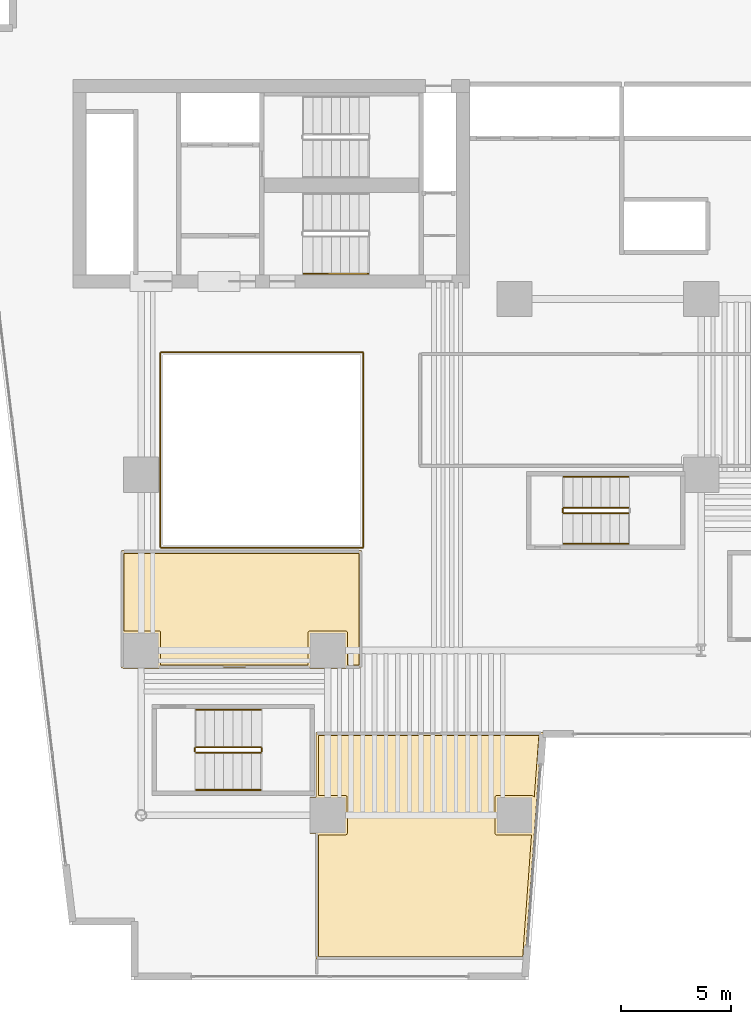
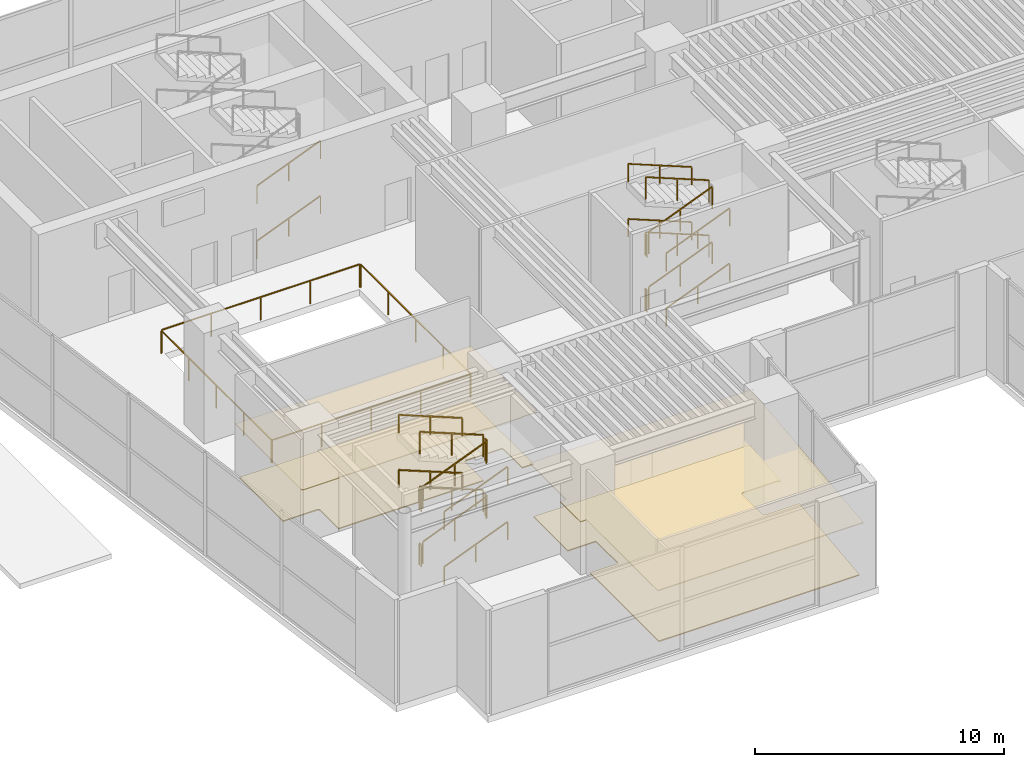
# One storey, part 14 of 17: 28 railings, 4 coverings.
"""IFC4 building model written with IfcOpenShell, lengths in metres."""

from ifc_helpers import new_model, si_unit, direction, frame, origin, origin_2d, place, context, subcontext, project, spatial, polyline, rectangle, outline, extrude, material, layer, layer_set, type_object, element, save


model = new_model("IFC4")

# Units and contexts
model_context = context("Model", 3, precision=1e-05, world=origin(), true_north=direction((0.0, 1.0)))
body_context = subcontext(model_context, "Body", "Model", "MODEL_VIEW")
ifc_project = project(units=[si_unit("LENGTHUNIT", "METRE"), si_unit("AREAUNIT", "SQUARE_METRE"), si_unit("VOLUMEUNIT", "CUBIC_METRE"), si_unit("PLANEANGLEUNIT", "RADIAN"), si_unit("MASSUNIT", "GRAM", prefix="KILO")], contexts=[model_context])

# Site, building, storey
site_placement = place(None, origin())
site = spatial("IfcSite", under=ifc_project, at=site_placement, CompositionType="ELEMENT")
building_placement = place(site_placement, origin())
building = spatial("IfcBuilding", under=site, at=building_placement, Name="Caeloran Harvest Quay", CompositionType="ELEMENT")
storey_placement = place(building_placement, frame((0.0, 0.0, 5.39990234375)))
storey = spatial("IfcBuildingStorey", under=building, at=storey_placement, Name="L02", CompositionType="ELEMENT", Elevation=5.39990234375)

# Coverings
ifc_material_1 = material(Name="Perforated Mineral-Fibre Acoustic Ceiling Tile", Category="ceiling")
ifc_layer_1 = layer(ifc_material_1, 0.0400390625, Name="Perforated Mineral-Fibre Acoustic Ceiling Tile")
ifc_layer_set_1 = layer_set([ifc_layer_1], Name="Perforated Mineral-Fibre Acoustic Ceiling Tile")
covering_type_1 = type_object("IfcCoveringType", Name="COV-CEILING-ACOUSTIC", PredefinedType="CEILING", material=ifc_layer_set_1)
covering_1_placement = place(storey_placement, frame((0.0, 0.0, 2.60009765625)))
element("IfcCovering", 1, at=covering_1_placement, inside=storey, type_object=covering_type_1, Name="Harbour Cooked-Food Hall (56 Stalls) Acoustic Ceiling", PredefinedType="CEILING", context=body_context, shape_type="SweptSolid", body=[
    extrude(outline(polyline([(9.320068359375, 14.179931640625), (7.679931640625, 14.179931640625), (7.679931640625, 14.2099609375), (7.610107421875, 14.2099609375), (7.610107421875, 19.5400390625), (18.5400390625, 19.5400390625), (18.5400390625, 14.2099609375), (17.820068359375, 14.2099609375), (17.820068359375, 14.179931640625), (16.179931640625, 14.179931640625), (16.179931640625, 14.2099609375), (9.320068359375, 14.2099609375), (9.320068359375, 14.179931640625)])), origin(), (0.0, 0.0, 1.0), 0.0400390625),
])
covering_2_placement = place(storey_placement, frame((0.0, 0.0, 2.60009765625)))
element("IfcCovering", 2, at=covering_2_placement, inside=storey, type_object=covering_type_1, Name="Central Dishwashing and Scullery Kitchen Acoustic Ceiling", PredefinedType="CEILING", context=body_context, shape_type="SweptSolid", body=[
    extrude(outline(polyline([(26.763916015625, 11.177001953125), (26.716552734375, 11.054931640625), (25.985107421875, 0.9599609375), (16.4599609375, 0.9599609375), (16.4599609375, 6.679931640625), (16.179931640625, 6.679931640625), (16.179931640625, 8.320068359375), (16.4599609375, 8.320068359375), (16.4599609375, 11.260009765625), (26.8369140625, 11.260009765625), (26.763916015625, 11.177001953125)])), origin(), (0.0, 0.0, 1.0), 0.0400390625),
])
ifc_material_2 = material(Name="Calcium-Sulphate Raised Access Floor and Terrazzo Finish", Category="flooring")
ifc_layer_2 = layer(ifc_material_2, 0.050048828125, Name="Calcium-Sulphate Raised Access Floor and Terrazzo Finish")
ifc_layer_set_2 = layer_set([ifc_layer_2], Name="Calcium-Sulphate Raised Access Floor and Terrazzo Finish")
covering_type_2 = type_object("IfcCoveringType", Name="COV-FLOOR-RAISED", PredefinedType="FLOORING", material=ifc_layer_set_2)
covering_3_placement = place(storey_placement, origin())
element("IfcCovering", 3, at=covering_3_placement, inside=storey, type_object=covering_type_2, Name="Harbour Cooked-Food Hall (56 Stalls) Raised Finish Flooring", PredefinedType="FLOORING", context=body_context, shape_type="SweptSolid", body=[
    extrude(outline(polyline([(7.72998046875, 15.89501953125), (7.72998046875, 19.419921875), (18.419921875, 19.419921875), (18.419921875, 14.330078125), (17.89501953125, 14.330078125), (17.89501953125, 15.81494140625), (17.876708984375, 15.86572265625), (17.82275390625, 15.89453125), (16.18505859375, 15.89501953125), (16.12841796875, 15.87158203125), (16.10498046875, 15.81494140625), (16.10498046875, 14.330078125), (9.39501953125, 14.330078125), (9.39501953125, 15.81494140625), (9.37158203125, 15.87158203125), (9.31494140625, 15.89501953125), (7.72998046875, 15.89501953125)])), origin(), (0.0, 0.0, 1.0), 0.050048828125),
])
covering_4_placement = place(storey_placement, origin())
element("IfcCovering", 4, at=covering_4_placement, inside=storey, type_object=covering_type_2, Name="Central Dishwashing and Scullery Kitchen Raised Finish Flooring", PredefinedType="FLOORING", context=body_context, shape_type="SweptSolid", body=[
    extrude(outline(polyline([(26.273681640625, 6.60498046875), (25.873291015625, 1.080078125), (16.580078125, 1.080078125), (16.580078125, 6.60498046875), (17.82275390625, 6.60546875), (17.876708984375, 6.63427734375), (17.89501953125, 6.68505859375), (17.876708984375, 8.36572265625), (17.81494140625, 8.39501953125), (16.580078125, 8.39501953125), (16.580078125, 11.139892578125), (26.611328125, 11.139892578125), (26.39501953125, 8.278564453125), (26.381591796875, 8.359375), (26.31494140625, 8.39501953125), (24.68505859375, 8.39501953125), (24.63427734375, 8.376708984375), (24.60546875, 8.32275390625), (24.60498046875, 6.68505859375), (24.62841796875, 6.62841796875), (24.68505859375, 6.60498046875), (26.273681640625, 6.60498046875)])), origin(), (0.0, 0.0, 1.0), 0.050048828125),
])

# Railings
ifc_material_3 = material(Name="Powder-Coated Steel Post and Laminated Glass Guardrail", Category="steel")
ifc_layer_3 = layer(ifc_material_3, 0.06005859375, Name="Powder-Coated Steel Post and Laminated Glass Guardrail")
ifc_layer_set_3 = layer_set([ifc_layer_3], Name="Powder-Coated Steel Post and Laminated Glass Guardrail")
railing_type_1 = type_object("IfcRailingType", Name="GUARD-ATRIUM-1150", PredefinedType="GUARDRAIL", material=ifc_layer_set_3)
railing_1_placement = place(storey_placement, frame((9.412109375, 19.679931640625, 0.0)))
element("IfcRailing", 5, at=railing_1_placement, inside=storey, type_object=railing_type_1, Name="L02 Skylit Atrium Void Perimeter Guardrail Seg 1", PredefinedType="GUARDRAIL", context=body_context, shape_type="SweptSolid", body=[
    extrude(rectangle(XDim=0.048095703125, YDim=0.048095703125, at=origin_2d()), frame((0.0, 0.0, 1.1259765625), z_axis=(1.0, 0.0, 0.0), x_axis=(0.0, 1.0, 0.0)), (0.0, 0.0, 1.0), 9.17578125),
    extrude(rectangle(XDim=0.0419921875, YDim=0.0419921875, at=origin_2d()), origin(), (0.0, 0.0, 1.0), 1.101806640625),
    extrude(rectangle(XDim=0.0419921875, YDim=0.0419921875, at=origin_2d()), frame((2.2939453125, 0.0, 0.0)), (0.0, 0.0, 1.0), 1.101806640625),
    extrude(rectangle(XDim=0.0419921875, YDim=0.0419921875, at=origin_2d()), frame((4.587890625, 0.0, 0.0)), (0.0, 0.0, 1.0), 1.101806640625),
    extrude(rectangle(XDim=0.0419921875, YDim=0.0419921875, at=origin_2d()), frame((6.8818359375, 0.0, 0.0)), (0.0, 0.0, 1.0), 1.101806640625),
    extrude(rectangle(XDim=0.0419921875, YDim=0.0419921875, at=origin_2d()), frame((9.17578125, 0.0, 0.0)), (0.0, 0.0, 1.0), 1.101806640625),
])
railing_2_placement = place(storey_placement, frame((18.6201171875, 19.7119140625, 0.0)))
element("IfcRailing", 6, at=railing_2_placement, inside=storey, type_object=railing_type_1, Name="L02 Skylit Atrium Void Perimeter Guardrail Seg 2", PredefinedType="GUARDRAIL", context=body_context, shape_type="SweptSolid", body=[
    extrude(rectangle(XDim=0.048095703125, YDim=0.048095703125, at=origin_2d()), frame((0.0, 0.0, 1.1259765625), z_axis=(0.0, 1.0, 0.0), x_axis=(-1.0, 0.0, 0.0)), (0.0, 0.0, 1.0), 8.826171875),
    extrude(rectangle(XDim=0.0419921875, YDim=0.0419921875, at=origin_2d()), origin(), (0.0, 0.0, 1.0), 1.101806640625),
    extrude(rectangle(XDim=0.0419921875, YDim=0.0419921875, at=origin_2d()), frame((0.0, 2.20654296875, 0.0)), (0.0, 0.0, 1.0), 1.101806640625),
    extrude(rectangle(XDim=0.0419921875, YDim=0.0419921875, at=origin_2d()), frame((0.0, 4.4130859375, 0.0)), (0.0, 0.0, 1.0), 1.101806640625),
    extrude(rectangle(XDim=0.0419921875, YDim=0.0419921875, at=origin_2d()), frame((0.0, 6.61962890625, 0.0)), (0.0, 0.0, 1.0), 1.101806640625),
    extrude(rectangle(XDim=0.0419921875, YDim=0.0419921875, at=origin_2d()), frame((0.0, 8.826171875, 0.0)), (0.0, 0.0, 1.0), 1.101806640625),
])
railing_3_placement = place(storey_placement, frame((18.587890625, 28.570068359375, 0.0)))
element("IfcRailing", 7, at=railing_3_placement, inside=storey, type_object=railing_type_1, Name="L02 Skylit Atrium Void Perimeter Guardrail Seg 3", PredefinedType="GUARDRAIL", context=body_context, shape_type="SweptSolid", body=[
    extrude(rectangle(XDim=0.048095703125, YDim=0.048095703125, at=origin_2d()), frame((0.0, 0.0, 1.1259765625), z_axis=(-1.0, 0.0, 0.0), x_axis=(0.0, -1.0, 0.0)), (0.0, 0.0, 1.0), 9.17578125),
    extrude(rectangle(XDim=0.0419921875, YDim=0.0419921875, at=origin_2d()), origin(), (0.0, 0.0, 1.0), 1.101806640625),
    extrude(rectangle(XDim=0.0419921875, YDim=0.0419921875, at=origin_2d()), frame((-2.2939453125, 0.0, 0.0)), (0.0, 0.0, 1.0), 1.101806640625),
    extrude(rectangle(XDim=0.0419921875, YDim=0.0419921875, at=origin_2d()), frame((-4.587890625, 0.0, 0.0)), (0.0, 0.0, 1.0), 1.101806640625),
    extrude(rectangle(XDim=0.0419921875, YDim=0.0419921875, at=origin_2d()), frame((-6.8818359375, 0.0, 0.0)), (0.0, 0.0, 1.0), 1.101806640625),
    extrude(rectangle(XDim=0.0419921875, YDim=0.0419921875, at=origin_2d()), frame((-9.17578125, 0.0, 0.0)), (0.0, 0.0, 1.0), 1.101806640625),
])
railing_4_placement = place(storey_placement, frame((9.3798828125, 28.5380859375, 0.0)))
element("IfcRailing", 8, at=railing_4_placement, inside=storey, type_object=railing_type_1, Name="L02 Skylit Atrium Void Perimeter Guardrail Seg 4", PredefinedType="GUARDRAIL", context=body_context, shape_type="SweptSolid", body=[
    extrude(rectangle(XDim=0.048095703125, YDim=0.048095703125, at=origin_2d()), frame((0.0, 0.0, 1.1259765625), z_axis=(0.0, -1.0, 0.0), x_axis=(1.0, 0.0, 0.0)), (0.0, 0.0, 1.0), 8.826171875),
    extrude(rectangle(XDim=0.0419921875, YDim=0.0419921875, at=origin_2d()), origin(), (0.0, 0.0, 1.0), 1.101806640625),
    extrude(rectangle(XDim=0.0419921875, YDim=0.0419921875, at=origin_2d()), frame((0.0, -2.20654296875, 0.0)), (0.0, 0.0, 1.0), 1.101806640625),
    extrude(rectangle(XDim=0.0419921875, YDim=0.0419921875, at=origin_2d()), frame((0.0, -4.4130859375, 0.0)), (0.0, 0.0, 1.0), 1.101806640625),
    extrude(rectangle(XDim=0.0419921875, YDim=0.0419921875, at=origin_2d()), frame((0.0, -6.61962890625, 0.0)), (0.0, 0.0, 1.0), 1.101806640625),
    extrude(rectangle(XDim=0.0419921875, YDim=0.0419921875, at=origin_2d()), frame((0.0, -8.826171875, 0.0)), (0.0, 0.0, 1.0), 1.101806640625),
])
ifc_material_4 = material(Name="Painted Steel Baluster and Top-Rail Stair Guard", Category="steel")
ifc_layer_4 = layer(ifc_material_4, 0.050048828125, Name="Painted Steel Baluster and Top-Rail Stair Guard")
ifc_layer_set_4 = layer_set([ifc_layer_4], Name="Painted Steel Baluster and Top-Rail Stair Guard")
railing_type_2 = type_object("IfcRailingType", Name="STAIR-GUARD-1100", PredefinedType="GUARDRAIL", material=ifc_layer_set_4)
railing_5_placement = place(storey_placement, frame((27.75, 21.25, 0.1689453125)))
element("IfcRailing", 9, at=railing_5_placement, inside=storey, type_object=railing_type_2, Name="L02 ST-W1 stair guard 1", PredefinedType="GUARDRAIL", context=body_context, shape_type="SweptSolid", body=[
    extrude(rectangle(XDim=0.048095703125, YDim=0.048095703125, at=origin_2d()), frame((0.0, 0.0, 1.076171875), z_axis=(0.927912314548, 0.0, 0.372798519995), x_axis=(0.0, 1.0, 0.0)), (0.0, 0.0, 1.0), 3.16845703125),
    extrude(rectangle(XDim=0.0419921875, YDim=0.0419921875, at=origin_2d()), origin(), (0.0, 0.0, 1.0), 1.052001953125),
    extrude(rectangle(XDim=0.0419921875, YDim=0.0419921875, at=origin_2d()), frame((1.469970703125, 0.0, 0.590576171875)), (0.0, 0.0, 1.0), 1.052001953125),
    extrude(rectangle(XDim=0.0419921875, YDim=0.0419921875, at=origin_2d()), frame((2.93994140625, 0.0, 1.18115234375)), (0.0, 0.0, 1.0), 1.052001953125),
])
railing_6_placement = place(storey_placement, frame((30.68994140625, 21.5, 1.518798828125)))
element("IfcRailing", 10, at=railing_6_placement, inside=storey, type_object=railing_type_2, Name="L02 ST-W1 stair guard 3", PredefinedType="GUARDRAIL", context=body_context, shape_type="SweptSolid", body=[
    extrude(rectangle(XDim=0.048095703125, YDim=0.048095703125, at=origin_2d()), frame((0.0, 0.0, 1.076171875), z_axis=(-0.927885657282, 0.0, 0.372864864274), x_axis=(0.0, -1.0, 0.0)), (0.0, 0.0, 1.0), 3.16845703125),
    extrude(rectangle(XDim=0.0419921875, YDim=0.0419921875, at=origin_2d()), origin(), (0.0, 0.0, 1.0), 1.052001953125),
    extrude(rectangle(XDim=0.0419921875, YDim=0.0419921875, at=origin_2d()), frame((-1.469970703125, 0.0, 0.5908203125)), (0.0, 0.0, 1.0), 1.052001953125),
    extrude(rectangle(XDim=0.0419921875, YDim=0.0419921875, at=origin_2d()), frame((-2.93994140625, 0.0, 1.181396484375)), (0.0, 0.0, 1.0), 1.052001953125),
])
railing_7_placement = place(storey_placement, frame((27.699951171875, 21.300048828125, 2.7001953125)))
element("IfcRailing", 11, at=railing_7_placement, inside=storey, type_object=railing_type_2, Name="L02 ST-W1 stair guard 4", PredefinedType="GUARDRAIL", context=body_context, shape_type="SweptSolid", body=[
    extrude(rectangle(XDim=0.048095703125, YDim=0.048095703125, at=origin_2d()), frame((0.0, 0.0, 1.076171875), z_axis=(0.0, 1.0, 0.0), x_axis=(-1.0, 0.0, 0.0)), (0.0, 0.0, 1.0), 0.14990234375),
    extrude(rectangle(XDim=0.0419921875, YDim=0.0419921875, at=origin_2d()), origin(), (0.0, 0.0, 1.0), 1.052001953125),
    extrude(rectangle(XDim=0.0419921875, YDim=0.0419921875, at=origin_2d()), frame((0.0, 0.14990234375, 0.0)), (0.0, 0.0, 1.0), 1.052001953125),
])
railing_8_placement = place(storey_placement, frame((27.75, 21.25, 2.868896484375)))
element("IfcRailing", 12, at=railing_8_placement, inside=storey, type_object=railing_type_2, Name="L02 ST-W1 stair guard 5", PredefinedType="GUARDRAIL", context=body_context, shape_type="SweptSolid", body=[
    extrude(rectangle(XDim=0.048095703125, YDim=0.048095703125, at=origin_2d()), frame((0.0, 0.0, 1.076171875), z_axis=(0.927912314548, 0.0, 0.372798519995), x_axis=(0.0, 1.0, 0.0)), (0.0, 0.0, 1.0), 3.16845703125),
    extrude(rectangle(XDim=0.0419921875, YDim=0.0419921875, at=origin_2d()), origin(), (0.0, 0.0, 1.0), 1.052001953125),
    extrude(rectangle(XDim=0.0419921875, YDim=0.0419921875, at=origin_2d()), frame((1.469970703125, 0.0, 0.590576171875)), (0.0, 0.0, 1.0), 1.052001953125),
    extrude(rectangle(XDim=0.0419921875, YDim=0.0419921875, at=origin_2d()), frame((2.93994140625, 0.0, 1.18115234375)), (0.0, 0.0, 1.0), 1.052001953125),
])
railing_9_placement = place(storey_placement, frame((30.68994140625, 21.5, 4.21875)))
element("IfcRailing", 13, at=railing_9_placement, inside=storey, type_object=railing_type_2, Name="L02 ST-W1 stair guard 7", PredefinedType="GUARDRAIL", context=body_context, shape_type="SweptSolid", body=[
    extrude(rectangle(XDim=0.048095703125, YDim=0.048095703125, at=origin_2d()), frame((0.0, 0.0, 1.076171875), z_axis=(-0.927885657282, 0.0, 0.372864864274), x_axis=(0.0, -1.0, 0.0)), (0.0, 0.0, 1.0), 3.16845703125),
    extrude(rectangle(XDim=0.0419921875, YDim=0.0419921875, at=origin_2d()), origin(), (0.0, 0.0, 1.0), 1.052001953125),
    extrude(rectangle(XDim=0.0419921875, YDim=0.0419921875, at=origin_2d()), frame((-1.469970703125, 0.0, 0.5908203125)), (0.0, 0.0, 1.0), 1.052001953125),
    extrude(rectangle(XDim=0.0419921875, YDim=0.0419921875, at=origin_2d()), frame((-2.93994140625, 0.0, 1.181396484375)), (0.0, 0.0, 1.0), 1.052001953125),
])
railing_10_placement = place(storey_placement, frame((27.699951171875, 21.300048828125, 0.0)))
element("IfcRailing", 14, at=railing_10_placement, inside=storey, type_object=railing_type_2, Name="L02 ST-W1 stair guard 8", PredefinedType="GUARDRAIL", context=body_context, shape_type="SweptSolid", body=[
    extrude(rectangle(XDim=0.048095703125, YDim=0.048095703125, at=origin_2d()), frame((0.0, 0.0, 1.076171875), z_axis=(0.0, 1.0, 0.0), x_axis=(-1.0, 0.0, 0.0)), (0.0, 0.0, 1.0), 0.14990234375),
    extrude(rectangle(XDim=0.0419921875, YDim=0.0419921875, at=origin_2d()), origin(), (0.0, 0.0, 1.0), 1.052001953125),
    extrude(rectangle(XDim=0.0419921875, YDim=0.0419921875, at=origin_2d()), frame((0.0, 0.14990234375, 0.0)), (0.0, 0.0, 1.0), 1.052001953125),
])
railing_11_placement = place(storey_placement, frame((11.0, 10.35009765625, 0.1689453125)))
element("IfcRailing", 15, at=railing_11_placement, inside=storey, type_object=railing_type_2, Name="L02 ST-P1 stair guard 1", PredefinedType="GUARDRAIL", context=body_context, shape_type="SweptSolid", body=[
    extrude(rectangle(XDim=0.048095703125, YDim=0.048095703125, at=origin_2d()), frame((0.0, 0.0, 1.076171875), z_axis=(0.927912314548, 0.0, 0.372798519995), x_axis=(0.0, 1.0, 0.0)), (0.0, 0.0, 1.0), 3.16845703125),
    extrude(rectangle(XDim=0.0419921875, YDim=0.0419921875, at=origin_2d()), origin(), (0.0, 0.0, 1.0), 1.052001953125),
    extrude(rectangle(XDim=0.0419921875, YDim=0.0419921875, at=origin_2d()), frame((1.469970703125, 0.0, 0.590576171875)), (0.0, 0.0, 1.0), 1.052001953125),
    extrude(rectangle(XDim=0.0419921875, YDim=0.0419921875, at=origin_2d()), frame((2.93994140625, 0.0, 1.18115234375)), (0.0, 0.0, 1.0), 1.052001953125),
])
railing_12_placement = place(storey_placement, frame((13.989990234375, 10.39990234375, 1.35009765625)))
element("IfcRailing", 16, at=railing_12_placement, inside=storey, type_object=railing_type_2, Name="L02 ST-P1 stair guard 2", PredefinedType="GUARDRAIL", context=body_context, shape_type="SweptSolid", body=[
    extrude(rectangle(XDim=0.048095703125, YDim=0.048095703125, at=origin_2d()), frame((0.0, 0.0, 1.076171875), z_axis=(0.0, 1.0, 0.0), x_axis=(-1.0, 0.0, 0.0)), (0.0, 0.0, 1.0), 0.150146484375),
    extrude(rectangle(XDim=0.0419921875, YDim=0.0419921875, at=origin_2d()), origin(), (0.0, 0.0, 1.0), 1.052001953125),
    extrude(rectangle(XDim=0.0419921875, YDim=0.0419921875, at=origin_2d()), frame((0.0, 0.150146484375, 0.0)), (0.0, 0.0, 1.0), 1.052001953125),
])
railing_13_placement = place(storey_placement, frame((13.93994140625, 10.60009765625, 1.518798828125)))
element("IfcRailing", 17, at=railing_13_placement, inside=storey, type_object=railing_type_2, Name="L02 ST-P1 stair guard 3", PredefinedType="GUARDRAIL", context=body_context, shape_type="SweptSolid", body=[
    extrude(rectangle(XDim=0.048095703125, YDim=0.048095703125, at=origin_2d()), frame((0.0, 0.0, 1.076171875), z_axis=(-0.927885657282, 0.0, 0.372864864274), x_axis=(0.0, -1.0, 0.0)), (0.0, 0.0, 1.0), 3.16845703125),
    extrude(rectangle(XDim=0.0419921875, YDim=0.0419921875, at=origin_2d()), origin(), (0.0, 0.0, 1.0), 1.052001953125),
    extrude(rectangle(XDim=0.0419921875, YDim=0.0419921875, at=origin_2d()), frame((-1.469970703125, 0.0, 0.5908203125)), (0.0, 0.0, 1.0), 1.052001953125),
    extrude(rectangle(XDim=0.0419921875, YDim=0.0419921875, at=origin_2d()), frame((-2.93994140625, 0.0, 1.181396484375)), (0.0, 0.0, 1.0), 1.052001953125),
])
railing_14_placement = place(storey_placement, frame((10.949951171875, 10.39990234375, 2.7001953125)))
element("IfcRailing", 18, at=railing_14_placement, inside=storey, type_object=railing_type_2, Name="L02 ST-P1 stair guard 4", PredefinedType="GUARDRAIL", context=body_context, shape_type="SweptSolid", body=[
    extrude(rectangle(XDim=0.048095703125, YDim=0.048095703125, at=origin_2d()), frame((0.0, 0.0, 1.076171875), z_axis=(0.0, 1.0, 0.0), x_axis=(-1.0, 0.0, 0.0)), (0.0, 0.0, 1.0), 0.150146484375),
    extrude(rectangle(XDim=0.0419921875, YDim=0.0419921875, at=origin_2d()), origin(), (0.0, 0.0, 1.0), 1.052001953125),
    extrude(rectangle(XDim=0.0419921875, YDim=0.0419921875, at=origin_2d()), frame((0.0, 0.150146484375, 0.0)), (0.0, 0.0, 1.0), 1.052001953125),
])
railing_15_placement = place(storey_placement, frame((11.0, 10.35009765625, 2.868896484375)))
element("IfcRailing", 19, at=railing_15_placement, inside=storey, type_object=railing_type_2, Name="L02 ST-P1 stair guard 5", PredefinedType="GUARDRAIL", context=body_context, shape_type="SweptSolid", body=[
    extrude(rectangle(XDim=0.048095703125, YDim=0.048095703125, at=origin_2d()), frame((0.0, 0.0, 1.076171875), z_axis=(0.927912314548, 0.0, 0.372798519995), x_axis=(0.0, 1.0, 0.0)), (0.0, 0.0, 1.0), 3.16845703125),
    extrude(rectangle(XDim=0.0419921875, YDim=0.0419921875, at=origin_2d()), origin(), (0.0, 0.0, 1.0), 1.052001953125),
    extrude(rectangle(XDim=0.0419921875, YDim=0.0419921875, at=origin_2d()), frame((1.469970703125, 0.0, 0.590576171875)), (0.0, 0.0, 1.0), 1.052001953125),
    extrude(rectangle(XDim=0.0419921875, YDim=0.0419921875, at=origin_2d()), frame((2.93994140625, 0.0, 1.18115234375)), (0.0, 0.0, 1.0), 1.052001953125),
])
railing_16_placement = place(storey_placement, frame((13.989990234375, 10.39990234375, 4.050048828125)))
element("IfcRailing", 20, at=railing_16_placement, inside=storey, type_object=railing_type_2, Name="L02 ST-P1 stair guard 6", PredefinedType="GUARDRAIL", context=body_context, shape_type="SweptSolid", body=[
    extrude(rectangle(XDim=0.048095703125, YDim=0.048095703125, at=origin_2d()), frame((0.0, 0.0, 1.076171875), z_axis=(0.0, 1.0, 0.0), x_axis=(-1.0, 0.0, 0.0)), (0.0, 0.0, 1.0), 0.150146484375),
    extrude(rectangle(XDim=0.0419921875, YDim=0.0419921875, at=origin_2d()), origin(), (0.0, 0.0, 1.0), 1.052001953125),
    extrude(rectangle(XDim=0.0419921875, YDim=0.0419921875, at=origin_2d()), frame((0.0, 0.150146484375, 0.0)), (0.0, 0.0, 1.0), 1.052001953125),
])
railing_17_placement = place(storey_placement, frame((13.93994140625, 10.60009765625, 4.21875)))
element("IfcRailing", 21, at=railing_17_placement, inside=storey, type_object=railing_type_2, Name="L02 ST-P1 stair guard 7", PredefinedType="GUARDRAIL", context=body_context, shape_type="SweptSolid", body=[
    extrude(rectangle(XDim=0.048095703125, YDim=0.048095703125, at=origin_2d()), frame((0.0, 0.0, 1.076171875), z_axis=(-0.927885657282, 0.0, 0.372864864274), x_axis=(0.0, -1.0, 0.0)), (0.0, 0.0, 1.0), 3.16845703125),
    extrude(rectangle(XDim=0.0419921875, YDim=0.0419921875, at=origin_2d()), origin(), (0.0, 0.0, 1.0), 1.052001953125),
    extrude(rectangle(XDim=0.0419921875, YDim=0.0419921875, at=origin_2d()), frame((-1.469970703125, 0.0, 0.5908203125)), (0.0, 0.0, 1.0), 1.052001953125),
    extrude(rectangle(XDim=0.0419921875, YDim=0.0419921875, at=origin_2d()), frame((-2.93994140625, 0.0, 1.181396484375)), (0.0, 0.0, 1.0), 1.052001953125),
])
railing_18_placement = place(storey_placement, frame((10.949951171875, 10.39990234375, 0.0)))
element("IfcRailing", 22, at=railing_18_placement, inside=storey, type_object=railing_type_2, Name="L02 ST-P1 stair guard 8", PredefinedType="GUARDRAIL", context=body_context, shape_type="SweptSolid", body=[
    extrude(rectangle(XDim=0.048095703125, YDim=0.048095703125, at=origin_2d()), frame((0.0, 0.0, 1.076171875), z_axis=(0.0, 1.0, 0.0), x_axis=(-1.0, 0.0, 0.0)), (0.0, 0.0, 1.0), 0.150146484375),
    extrude(rectangle(XDim=0.0419921875, YDim=0.0419921875, at=origin_2d()), origin(), (0.0, 0.0, 1.0), 1.052001953125),
    extrude(rectangle(XDim=0.0419921875, YDim=0.0419921875, at=origin_2d()), frame((0.0, 0.150146484375, 0.0)), (0.0, 0.0, 1.0), 1.052001953125),
])
ifc_material_5 = material(Name="Brushed Stainless Steel Grade 304", Category="steel")
ifc_layer_5 = layer(ifc_material_5, 0.050048828125, Name="Brushed Stainless Steel Grade 304")
ifc_layer_set_5 = layer_set([ifc_layer_5], Name="Brushed Stainless Steel Grade 304")
railing_type_3 = type_object("IfcRailingType", Name="STAIR-HANDRAIL-900", PredefinedType="HANDRAIL", material=ifc_layer_set_5)
for number, where, name in (
    (23, (15.89990234375, 32.14990234375, 0.1689453125), "L02 ST-C2 stair handrail 1"),
    (24, (15.89990234375, 32.14990234375, 2.868896484375), "L02 ST-C2 stair handrail 3"),
):
    element("IfcRailing", number, at=place(storey_placement, frame(where)), inside=storey, type_object=railing_type_3, Name=name, PredefinedType="HANDRAIL", context=body_context, shape_type="SweptSolid", body=[
        extrude(rectangle(XDim=0.048095703125, YDim=0.048095703125, at=origin_2d()), frame((0.0, 0.0, 0.8759765625), z_axis=(0.927923022591, 0.0, 0.372771866088), x_axis=(0.0, 1.0, 0.0)), (0.0, 0.0, 1.0), 3.16845703125),
        extrude(rectangle(XDim=0.0419921875, YDim=0.0419921875, at=origin_2d()), origin(), (0.0, 0.0, 1.0), 0.851806640625),
        extrude(rectangle(XDim=0.0419921875, YDim=0.0419921875, at=origin_2d()), frame((1.47021484375, 0.0, 0.590576171875)), (0.0, 0.0, 1.0), 0.851806640625),
        extrude(rectangle(XDim=0.0419921875, YDim=0.0419921875, at=origin_2d()), frame((2.940185546875, 0.0, 1.18115234375)), (0.0, 0.0, 1.0), 0.851806640625),
    ])
railing_19_placement = place(storey_placement, frame((27.75, 19.85009765625, 0.1689453125)))
element("IfcRailing", 25, at=railing_19_placement, inside=storey, type_object=railing_type_3, Name="L02 ST-W1 stair handrail 1", PredefinedType="HANDRAIL", context=body_context, shape_type="SweptSolid", body=[
    extrude(rectangle(XDim=0.048095703125, YDim=0.048095703125, at=origin_2d()), frame((0.0, 0.0, 0.8759765625), z_axis=(0.927912314548, 0.0, 0.372798519995), x_axis=(0.0, 1.0, 0.0)), (0.0, 0.0, 1.0), 3.16845703125),
    extrude(rectangle(XDim=0.0419921875, YDim=0.0419921875, at=origin_2d()), origin(), (0.0, 0.0, 1.0), 0.851806640625),
    extrude(rectangle(XDim=0.0419921875, YDim=0.0419921875, at=origin_2d()), frame((1.469970703125, 0.0, 0.590576171875)), (0.0, 0.0, 1.0), 0.851806640625),
    extrude(rectangle(XDim=0.0419921875, YDim=0.0419921875, at=origin_2d()), frame((2.93994140625, 0.0, 1.18115234375)), (0.0, 0.0, 1.0), 0.851806640625),
])
railing_20_placement = place(storey_placement, frame((30.68994140625, 22.89990234375, 1.518798828125)))
element("IfcRailing", 26, at=railing_20_placement, inside=storey, type_object=railing_type_3, Name="L02 ST-W1 stair handrail 2", PredefinedType="HANDRAIL", context=body_context, shape_type="SweptSolid", body=[
    extrude(rectangle(XDim=0.048095703125, YDim=0.048095703125, at=origin_2d()), frame((0.0, 0.0, 0.8759765625), z_axis=(-0.927885657282, 0.0, 0.372864864274), x_axis=(0.0, -1.0, 0.0)), (0.0, 0.0, 1.0), 3.16845703125),
    extrude(rectangle(XDim=0.0419921875, YDim=0.0419921875, at=origin_2d()), origin(), (0.0, 0.0, 1.0), 0.851806640625),
    extrude(rectangle(XDim=0.0419921875, YDim=0.0419921875, at=origin_2d()), frame((-1.469970703125, 0.0, 0.5908203125)), (0.0, 0.0, 1.0), 0.851806640625),
    extrude(rectangle(XDim=0.0419921875, YDim=0.0419921875, at=origin_2d()), frame((-2.93994140625, 0.0, 1.181396484375)), (0.0, 0.0, 1.0), 0.851806640625),
])
railing_21_placement = place(storey_placement, frame((27.75, 19.85009765625, 2.868896484375)))
element("IfcRailing", 27, at=railing_21_placement, inside=storey, type_object=railing_type_3, Name="L02 ST-W1 stair handrail 3", PredefinedType="HANDRAIL", context=body_context, shape_type="SweptSolid", body=[
    extrude(rectangle(XDim=0.048095703125, YDim=0.048095703125, at=origin_2d()), frame((0.0, 0.0, 0.8759765625), z_axis=(0.927912314548, 0.0, 0.372798519995), x_axis=(0.0, 1.0, 0.0)), (0.0, 0.0, 1.0), 3.16845703125),
    extrude(rectangle(XDim=0.0419921875, YDim=0.0419921875, at=origin_2d()), origin(), (0.0, 0.0, 1.0), 0.851806640625),
    extrude(rectangle(XDim=0.0419921875, YDim=0.0419921875, at=origin_2d()), frame((1.469970703125, 0.0, 0.590576171875)), (0.0, 0.0, 1.0), 0.851806640625),
    extrude(rectangle(XDim=0.0419921875, YDim=0.0419921875, at=origin_2d()), frame((2.93994140625, 0.0, 1.18115234375)), (0.0, 0.0, 1.0), 0.851806640625),
])
railing_22_placement = place(storey_placement, frame((30.68994140625, 22.89990234375, 4.21875)))
element("IfcRailing", 28, at=railing_22_placement, inside=storey, type_object=railing_type_3, Name="L02 ST-W1 stair handrail 4", PredefinedType="HANDRAIL", context=body_context, shape_type="SweptSolid", body=[
    extrude(rectangle(XDim=0.048095703125, YDim=0.048095703125, at=origin_2d()), frame((0.0, 0.0, 0.8759765625), z_axis=(-0.927885657282, 0.0, 0.372864864274), x_axis=(0.0, -1.0, 0.0)), (0.0, 0.0, 1.0), 3.16845703125),
    extrude(rectangle(XDim=0.0419921875, YDim=0.0419921875, at=origin_2d()), origin(), (0.0, 0.0, 1.0), 0.851806640625),
    extrude(rectangle(XDim=0.0419921875, YDim=0.0419921875, at=origin_2d()), frame((-1.469970703125, 0.0, 0.5908203125)), (0.0, 0.0, 1.0), 0.851806640625),
    extrude(rectangle(XDim=0.0419921875, YDim=0.0419921875, at=origin_2d()), frame((-2.93994140625, 0.0, 1.181396484375)), (0.0, 0.0, 1.0), 0.851806640625),
])
railing_23_placement = place(storey_placement, frame((11.0, 8.64990234375, 0.1689453125)))
element("IfcRailing", 29, at=railing_23_placement, inside=storey, type_object=railing_type_3, Name="L02 ST-P1 stair handrail 1", PredefinedType="HANDRAIL", context=body_context, shape_type="SweptSolid", body=[
    extrude(rectangle(XDim=0.048095703125, YDim=0.048095703125, at=origin_2d()), frame((0.0, 0.0, 0.8759765625), z_axis=(0.927912314548, 0.0, 0.372798519995), x_axis=(0.0, 1.0, 0.0)), (0.0, 0.0, 1.0), 3.16845703125),
    extrude(rectangle(XDim=0.0419921875, YDim=0.0419921875, at=origin_2d()), origin(), (0.0, 0.0, 1.0), 0.851806640625),
    extrude(rectangle(XDim=0.0419921875, YDim=0.0419921875, at=origin_2d()), frame((1.469970703125, 0.0, 0.590576171875)), (0.0, 0.0, 1.0), 0.851806640625),
    extrude(rectangle(XDim=0.0419921875, YDim=0.0419921875, at=origin_2d()), frame((2.93994140625, 0.0, 1.18115234375)), (0.0, 0.0, 1.0), 0.851806640625),
])
railing_24_placement = place(storey_placement, frame((13.93994140625, 12.300048828125, 1.518798828125)))
element("IfcRailing", 30, at=railing_24_placement, inside=storey, type_object=railing_type_3, Name="L02 ST-P1 stair handrail 2", PredefinedType="HANDRAIL", context=body_context, shape_type="SweptSolid", body=[
    extrude(rectangle(XDim=0.048095703125, YDim=0.048095703125, at=origin_2d()), frame((0.0, 0.0, 0.8759765625), z_axis=(-0.927885657282, 0.0, 0.372864864274), x_axis=(0.0, -1.0, 0.0)), (0.0, 0.0, 1.0), 3.16845703125),
    extrude(rectangle(XDim=0.0419921875, YDim=0.0419921875, at=origin_2d()), origin(), (0.0, 0.0, 1.0), 0.851806640625),
    extrude(rectangle(XDim=0.0419921875, YDim=0.0419921875, at=origin_2d()), frame((-1.469970703125, 0.0, 0.5908203125)), (0.0, 0.0, 1.0), 0.851806640625),
    extrude(rectangle(XDim=0.0419921875, YDim=0.0419921875, at=origin_2d()), frame((-2.93994140625, 0.0, 1.181396484375)), (0.0, 0.0, 1.0), 0.851806640625),
])
railing_25_placement = place(storey_placement, frame((11.0, 8.64990234375, 2.868896484375)))
element("IfcRailing", 31, at=railing_25_placement, inside=storey, type_object=railing_type_3, Name="L02 ST-P1 stair handrail 3", PredefinedType="HANDRAIL", context=body_context, shape_type="SweptSolid", body=[
    extrude(rectangle(XDim=0.048095703125, YDim=0.048095703125, at=origin_2d()), frame((0.0, 0.0, 0.8759765625), z_axis=(0.927912314548, 0.0, 0.372798519995), x_axis=(0.0, 1.0, 0.0)), (0.0, 0.0, 1.0), 3.16845703125),
    extrude(rectangle(XDim=0.0419921875, YDim=0.0419921875, at=origin_2d()), origin(), (0.0, 0.0, 1.0), 0.851806640625),
    extrude(rectangle(XDim=0.0419921875, YDim=0.0419921875, at=origin_2d()), frame((1.469970703125, 0.0, 0.590576171875)), (0.0, 0.0, 1.0), 0.851806640625),
    extrude(rectangle(XDim=0.0419921875, YDim=0.0419921875, at=origin_2d()), frame((2.93994140625, 0.0, 1.18115234375)), (0.0, 0.0, 1.0), 0.851806640625),
])
railing_26_placement = place(storey_placement, frame((13.93994140625, 12.300048828125, 4.21875)))
element("IfcRailing", 32, at=railing_26_placement, inside=storey, type_object=railing_type_3, Name="L02 ST-P1 stair handrail 4", PredefinedType="HANDRAIL", context=body_context, shape_type="SweptSolid", body=[
    extrude(rectangle(XDim=0.048095703125, YDim=0.048095703125, at=origin_2d()), frame((0.0, 0.0, 0.8759765625), z_axis=(-0.927885657282, 0.0, 0.372864864274), x_axis=(0.0, -1.0, 0.0)), (0.0, 0.0, 1.0), 3.16845703125),
    extrude(rectangle(XDim=0.0419921875, YDim=0.0419921875, at=origin_2d()), origin(), (0.0, 0.0, 1.0), 0.851806640625),
    extrude(rectangle(XDim=0.0419921875, YDim=0.0419921875, at=origin_2d()), frame((-1.469970703125, 0.0, 0.5908203125)), (0.0, 0.0, 1.0), 0.851806640625),
    extrude(rectangle(XDim=0.0419921875, YDim=0.0419921875, at=origin_2d()), frame((-2.93994140625, 0.0, 1.181396484375)), (0.0, 0.0, 1.0), 0.851806640625),
])

save(model, "model.ifc")
